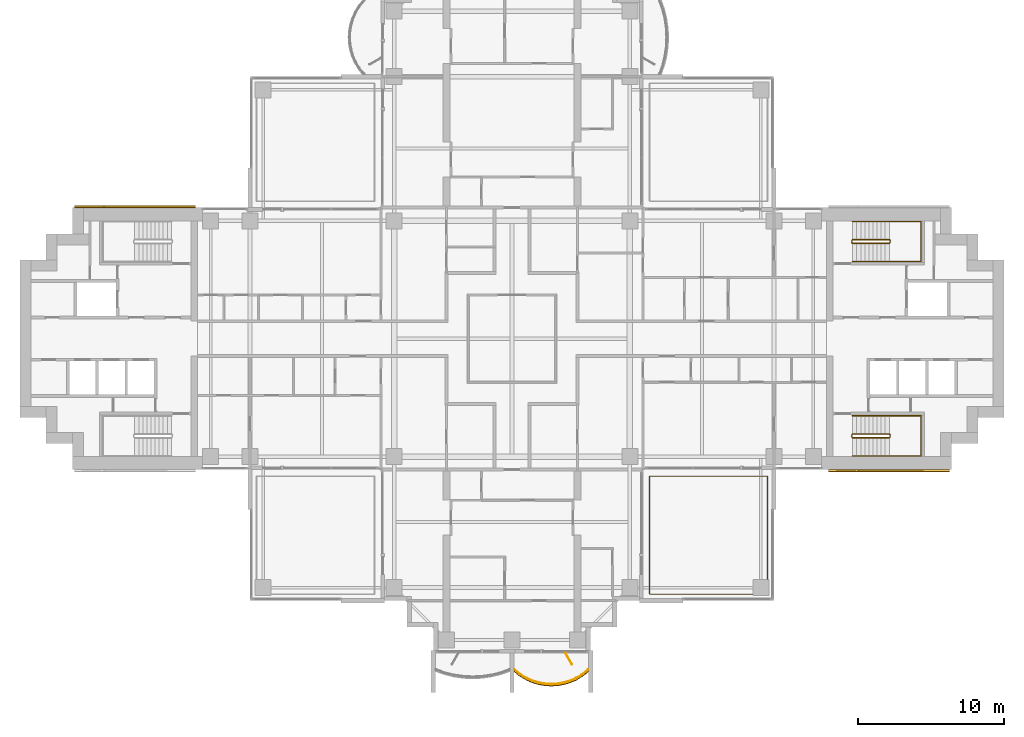
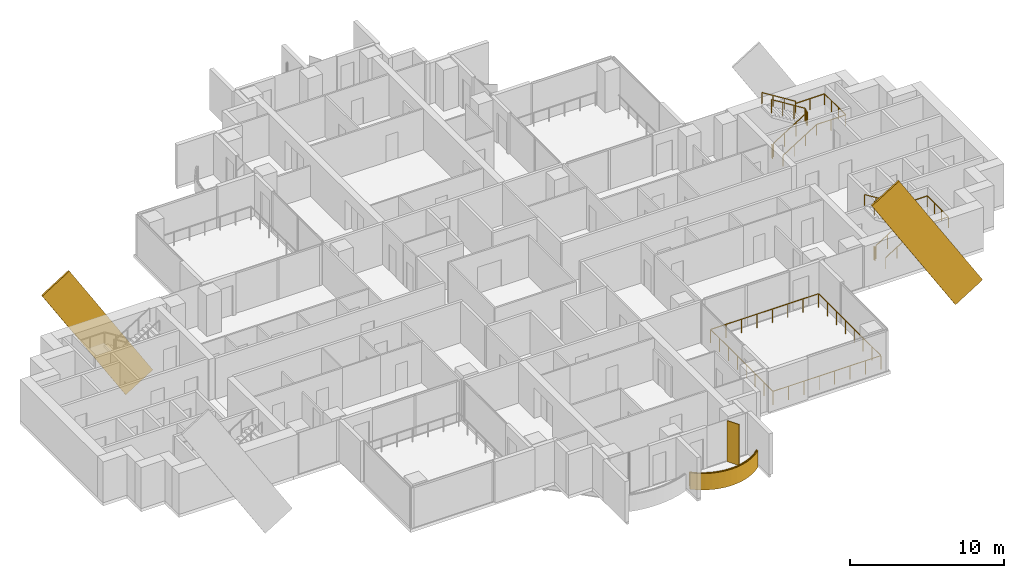
# One storey, part 17 of 19: 6 railings, 3 coverings, 1 shading device.
"""IFC4 building model written with IfcOpenShell, lengths in metres."""

from ifc_helpers import new_model, si_unit, direction, frame, origin, origin_2d, place, context, subcontext, project, spatial, polyline, rectangle, outline, extrude, material, layer, layer_set, material_profile, profile_set, type_object, element, save


model = new_model("IFC4")

# Units and contexts
model_context = context("Model", 3, precision=1e-05, world=origin(), true_north=direction((0.0, 1.0)))
body_context = subcontext(model_context, "Body", "Model", "MODEL_VIEW")
ifc_project = project(units=[si_unit("LENGTHUNIT", "METRE"), si_unit("AREAUNIT", "SQUARE_METRE"), si_unit("VOLUMEUNIT", "CUBIC_METRE"), si_unit("PLANEANGLEUNIT", "RADIAN"), si_unit("MASSUNIT", "GRAM", prefix="KILO")], contexts=[model_context])

# Site, building, storey
site_placement = place(None, origin())
site = spatial("IfcSite", under=ifc_project, at=site_placement, CompositionType="ELEMENT")
building_placement = place(site_placement, origin())
building = spatial("IfcBuilding", under=site, at=building_placement, Name="Perihelion Cross Residences", CompositionType="ELEMENT")
storey_placement = place(building_placement, frame((0.0, 0.0, 126.89990234375)))
storey = spatial("IfcBuildingStorey", under=building, at=storey_placement, Name="L30", CompositionType="ELEMENT", Elevation=126.89990234375)

# Covering
ifc_material_1 = material(Name="Bronze anodised aluminium", Category="aluminium")
ifc_layer_1 = layer(ifc_material_1, 0.070068359375)
ifc_layer_set_1 = layer_set([ifc_layer_1], Name="Balcony fascia 1300")
covering_type_1 = type_object("IfcCoveringType", Name="Balcony fascia 1300", PredefinedType="CLADDING", material=ifc_layer_set_1)
covering_placement = place(storey_placement, frame((0.0, 0.0, -0.199951171875)))
element("IfcCovering", 1, at=covering_placement, inside=storey, type_object=covering_type_1, Name="Fascia BF1 L30 south tip south bay 2", PredefinedType="CLADDING", context=body_context, shape_type="SweptSolid", body=[
    extrude(outline(polyline([(0.53515625, -23.197509765625), (0.96826171875, -23.455078125), (1.401123046875, -23.642578125), (1.833984375, -23.7705078125), (2.26708984375, -23.845458984375), (2.699951171875, -23.8701171875), (3.133056640625, -23.845458984375), (3.56591796875, -23.7705078125), (3.998779296875, -23.642578125), (4.431884765625, -23.455078125), (4.86474609375, -23.197509765625), (5.25, -22.8896484375), (5.25, -22.800048828125), (4.824951171875, -23.14013671875), (4.39990234375, -23.392578125), (3.97509765625, -23.57666015625), (3.550048828125, -23.702392578125), (3.125, -23.77587890625), (2.699951171875, -23.800048828125), (2.27490234375, -23.77587890625), (1.85009765625, -23.702392578125), (1.425048828125, -23.57666015625), (1.0, -23.392578125), (0.574951171875, -23.14013671875), (0.14990234375, -22.800048828125), (0.14990234375, -22.8896484375), (0.53515625, -23.197509765625)])), origin(), (0.0, 0.0, 1.0), 1.300048828125),
])

# Railings
ifc_material_2 = material(Name="Bronze anodised aluminium", Category="aluminium")
railing_type_1 = type_object("IfcRailingType", Name="Balcony guard 1100", PredefinedType="GUARDRAIL", material=ifc_material_2)
railing_1_placement = place(storey_placement, frame((0.175048828125, -22.739990234375, 0.0)))
element("IfcRailing", 2, at=railing_1_placement, inside=storey, type_object=railing_type_1, Name="Guard GU1 L30 south tip south bay 2 balcony", PredefinedType="GUARDRAIL", context=body_context, shape_type="SweptSolid", body=[
    extrude(rectangle(XDim=0.048095703125, YDim=0.048095703125, at=origin_2d()), frame((0.0, 0.0, 1.076171875), z_axis=(0.761778647315, -0.647837396648, 0.0), x_axis=(0.647837396648, 0.761778647315, 0.0)), (0.0, 0.0, 1.0), 0.52490234375),
    extrude(rectangle(XDim=0.048095703125, YDim=0.048095703125, at=origin_2d()), frame((0.39990234375, -0.340087890625, 1.076171875), z_axis=(0.859576918062, -0.511006381501, 0.0), x_axis=(0.511006381501, 0.859576918062, 0.0)), (0.0, 0.0, 1.0), 0.494384765625),
    extrude(rectangle(XDim=0.048095703125, YDim=0.048095703125, at=origin_2d()), frame((0.824951171875, -0.5927734375, 1.076171875), z_axis=(0.917831080218, -0.396971167952, 0.0), x_axis=(0.396971167952, 0.917831080218, 0.0)), (0.0, 0.0, 1.0), 0.463134765625),
    extrude(rectangle(XDim=0.048095703125, YDim=0.048095703125, at=origin_2d()), frame((1.25, -0.776611328125, 1.076171875), z_axis=(0.958925815697, -0.283656975924, 0.0), x_axis=(0.283656975924, 0.958925815697, 0.0)), (0.0, 0.0, 1.0), 0.443359375),
    extrude(rectangle(XDim=0.048095703125, YDim=0.048095703125, at=origin_2d()), frame((1.675048828125, -0.90234375, 1.076171875), z_axis=(0.985365142702, -0.170456843651, 0.0), x_axis=(0.170456843651, 0.985365142702, 0.0)), (0.0, 0.0, 1.0), 0.43115234375),
    extrude(rectangle(XDim=0.048095703125, YDim=0.048095703125, at=origin_2d()), frame((2.099853515625, -0.975830078125, 1.076171875), z_axis=(0.998387160354, -0.056772159032, 0.0), x_axis=(0.056772159032, 0.998387160354, 0.0)), (0.0, 0.0, 1.0), 0.42578125),
    extrude(rectangle(XDim=0.048095703125, YDim=0.048095703125, at=origin_2d()), frame((2.52490234375, -1.0, 1.076171875), z_axis=(0.998387160354, 0.056772159032, 0.0), x_axis=(-0.056772159032, 0.998387160354, 0.0)), (0.0, 0.0, 1.0), 0.42578125),
    extrude(rectangle(XDim=0.048095703125, YDim=0.048095703125, at=origin_2d()), frame((2.949951171875, -0.975830078125, 1.076171875), z_axis=(0.985381583142, 0.17036177859, 0.0), x_axis=(-0.17036177859, 0.985381583142, 0.0)), (0.0, 0.0, 1.0), 0.431396484375),
    extrude(rectangle(XDim=0.048095703125, YDim=0.048095703125, at=origin_2d()), frame((3.375, -0.90234375, 1.076171875), z_axis=(0.958925815697, 0.283656975924, 0.0), x_axis=(-0.283656975924, 0.958925815697, 0.0)), (0.0, 0.0, 1.0), 0.443359375),
    extrude(rectangle(XDim=0.048095703125, YDim=0.048095703125, at=origin_2d()), frame((3.800048828125, -0.776611328125, 1.076171875), z_axis=(0.917747942671, 0.397163333811, 0.0), x_axis=(-0.397163333811, 0.917747942671, 0.0)), (0.0, 0.0, 1.0), 0.462890625),
    extrude(rectangle(XDim=0.048095703125, YDim=0.048095703125, at=origin_2d()), frame((4.224853515625, -0.5927734375, 1.076171875), z_axis=(0.859576918062, 0.511006381501, 0.0), x_axis=(-0.511006381501, 0.859576918062, 0.0)), (0.0, 0.0, 1.0), 0.494384765625),
    extrude(rectangle(XDim=0.048095703125, YDim=0.048095703125, at=origin_2d()), frame((4.64990234375, -0.340087890625, 1.076171875), z_axis=(0.761973728849, 0.647607934281, 0.0), x_axis=(-0.647607934281, 0.761973728849, 0.0)), (0.0, 0.0, 1.0), 0.525146484375),
    extrude(rectangle(XDim=0.0419921875, YDim=0.0419921875, at=origin_2d()), origin(), (0.0, 0.0, 1.0), 1.052001953125),
    extrude(rectangle(XDim=0.0419921875, YDim=0.0419921875, at=origin_2d()), frame((0.39990234375, -0.340087890625, 0.0)), (0.0, 0.0, 1.0), 1.052001953125),
    extrude(rectangle(XDim=0.0419921875, YDim=0.0419921875, at=origin_2d()), frame((0.824951171875, -0.5927734375, 0.0)), (0.0, 0.0, 1.0), 1.052001953125),
    extrude(rectangle(XDim=0.0419921875, YDim=0.0419921875, at=origin_2d()), frame((1.25, -0.776611328125, 0.0)), (0.0, 0.0, 1.0), 1.052001953125),
    extrude(rectangle(XDim=0.0419921875, YDim=0.0419921875, at=origin_2d()), frame((1.675048828125, -0.90234375, 0.0)), (0.0, 0.0, 1.0), 1.052001953125),
    extrude(rectangle(XDim=0.0419921875, YDim=0.0419921875, at=origin_2d()), frame((2.099853515625, -0.975830078125, 0.0)), (0.0, 0.0, 1.0), 1.052001953125),
    extrude(rectangle(XDim=0.0419921875, YDim=0.0419921875, at=origin_2d()), frame((2.52490234375, -1.0, 0.0)), (0.0, 0.0, 1.0), 1.052001953125),
    extrude(rectangle(XDim=0.0419921875, YDim=0.0419921875, at=origin_2d()), frame((2.949951171875, -0.975830078125, 0.0)), (0.0, 0.0, 1.0), 1.052001953125),
    extrude(rectangle(XDim=0.0419921875, YDim=0.0419921875, at=origin_2d()), frame((3.375, -0.90234375, 0.0)), (0.0, 0.0, 1.0), 1.052001953125),
    extrude(rectangle(XDim=0.0419921875, YDim=0.0419921875, at=origin_2d()), frame((3.800048828125, -0.776611328125, 0.0)), (0.0, 0.0, 1.0), 1.052001953125),
    extrude(rectangle(XDim=0.0419921875, YDim=0.0419921875, at=origin_2d()), frame((4.224853515625, -0.5927734375, 0.0)), (0.0, 0.0, 1.0), 1.052001953125),
    extrude(rectangle(XDim=0.0419921875, YDim=0.0419921875, at=origin_2d()), frame((4.64990234375, -0.340087890625, 0.0)), (0.0, 0.0, 1.0), 1.052001953125),
    extrude(rectangle(XDim=0.0419921875, YDim=0.0419921875, at=origin_2d()), frame((5.050048828125, 0.0, 0.0)), (0.0, 0.0, 1.0), 1.052001953125),
])
railing_2_placement = place(storey_placement, frame((17.550048828125, -17.550048828125, 0.0)))
element("IfcRailing", 3, at=railing_2_placement, inside=storey, type_object=railing_type_1, Name="Guard GU1 L30 pocket south-east 1", PredefinedType="GUARDRAIL", context=body_context, shape_type="SweptSolid", body=[
    extrude(rectangle(XDim=0.048095703125, YDim=0.048095703125, at=origin_2d()), frame((0.0, 0.0, 1.076171875), z_axis=(-1.0, 0.0, 0.0), x_axis=(0.0, -1.0, 0.0)), (0.0, 0.0, 1.0), 8.10009765625),
    extrude(rectangle(XDim=0.048095703125, YDim=0.048095703125, at=origin_2d()), frame((-8.10009765625, 0.0, 1.076171875), z_axis=(0.0, 1.0, 0.0), x_axis=(-1.0, 0.0, 0.0)), (0.0, 0.0, 1.0), 8.10009765625),
    extrude(rectangle(XDim=0.048095703125, YDim=0.048095703125, at=origin_2d()), frame((-8.10009765625, 8.10009765625, 1.076171875), z_axis=(1.0, 0.0, 0.0), x_axis=(0.0, 1.0, 0.0)), (0.0, 0.0, 1.0), 8.10009765625),
    extrude(rectangle(XDim=0.048095703125, YDim=0.048095703125, at=origin_2d()), frame((0.0, 8.10009765625, 1.076171875), z_axis=(0.0, -1.0, 0.0), x_axis=(1.0, 0.0, 0.0)), (0.0, 0.0, 1.0), 8.10009765625),
    extrude(rectangle(XDim=0.0419921875, YDim=0.0419921875, at=origin_2d()), origin(), (0.0, 0.0, 1.0), 1.052001953125),
    extrude(rectangle(XDim=0.0419921875, YDim=0.0419921875, at=origin_2d()), frame((-1.1572265625, 0.0, 0.0)), (0.0, 0.0, 1.0), 1.052001953125),
    extrude(rectangle(XDim=0.0419921875, YDim=0.0419921875, at=origin_2d()), frame((-2.314208984375, 0.0, 0.0)), (0.0, 0.0, 1.0), 1.052001953125),
    extrude(rectangle(XDim=0.0419921875, YDim=0.0419921875, at=origin_2d()), frame((-3.471435546875, 0.0, 0.0)), (0.0, 0.0, 1.0), 1.052001953125),
    extrude(rectangle(XDim=0.0419921875, YDim=0.0419921875, at=origin_2d()), frame((-4.628662109375, 0.0, 0.0)), (0.0, 0.0, 1.0), 1.052001953125),
    extrude(rectangle(XDim=0.0419921875, YDim=0.0419921875, at=origin_2d()), frame((-5.785888671875, 0.0, 0.0)), (0.0, 0.0, 1.0), 1.052001953125),
    extrude(rectangle(XDim=0.0419921875, YDim=0.0419921875, at=origin_2d()), frame((-6.94287109375, 0.0, 0.0)), (0.0, 0.0, 1.0), 1.052001953125),
    extrude(rectangle(XDim=0.0419921875, YDim=0.0419921875, at=origin_2d()), frame((-8.10009765625, 0.0, 0.0)), (0.0, 0.0, 1.0), 1.052001953125),
    extrude(rectangle(XDim=0.0419921875, YDim=0.0419921875, at=origin_2d()), frame((-8.10009765625, 1.1572265625, 0.0)), (0.0, 0.0, 1.0), 1.052001953125),
    extrude(rectangle(XDim=0.0419921875, YDim=0.0419921875, at=origin_2d()), frame((-8.10009765625, 2.314208984375, 0.0)), (0.0, 0.0, 1.0), 1.052001953125),
    extrude(rectangle(XDim=0.0419921875, YDim=0.0419921875, at=origin_2d()), frame((-8.10009765625, 3.471435546875, 0.0)), (0.0, 0.0, 1.0), 1.052001953125),
    extrude(rectangle(XDim=0.0419921875, YDim=0.0419921875, at=origin_2d()), frame((-8.10009765625, 4.628662109375, 0.0)), (0.0, 0.0, 1.0), 1.052001953125),
    extrude(rectangle(XDim=0.0419921875, YDim=0.0419921875, at=origin_2d()), frame((-8.10009765625, 5.785888671875, 0.0)), (0.0, 0.0, 1.0), 1.052001953125),
    extrude(rectangle(XDim=0.0419921875, YDim=0.0419921875, at=origin_2d()), frame((-8.10009765625, 6.94287109375, 0.0)), (0.0, 0.0, 1.0), 1.052001953125),
    extrude(rectangle(XDim=0.0419921875, YDim=0.0419921875, at=origin_2d()), frame((-8.10009765625, 8.10009765625, 0.0)), (0.0, 0.0, 1.0), 1.052001953125),
    extrude(rectangle(XDim=0.0419921875, YDim=0.0419921875, at=origin_2d()), frame((-6.94287109375, 8.10009765625, 0.0)), (0.0, 0.0, 1.0), 1.052001953125),
    extrude(rectangle(XDim=0.0419921875, YDim=0.0419921875, at=origin_2d()), frame((-5.785888671875, 8.10009765625, 0.0)), (0.0, 0.0, 1.0), 1.052001953125),
    extrude(rectangle(XDim=0.0419921875, YDim=0.0419921875, at=origin_2d()), frame((-4.628662109375, 8.10009765625, 0.0)), (0.0, 0.0, 1.0), 1.052001953125),
    extrude(rectangle(XDim=0.0419921875, YDim=0.0419921875, at=origin_2d()), frame((-3.471435546875, 8.10009765625, 0.0)), (0.0, 0.0, 1.0), 1.052001953125),
    extrude(rectangle(XDim=0.0419921875, YDim=0.0419921875, at=origin_2d()), frame((-2.314208984375, 8.10009765625, 0.0)), (0.0, 0.0, 1.0), 1.052001953125),
    extrude(rectangle(XDim=0.0419921875, YDim=0.0419921875, at=origin_2d()), frame((-1.1572265625, 8.10009765625, 0.0)), (0.0, 0.0, 1.0), 1.052001953125),
    extrude(rectangle(XDim=0.0419921875, YDim=0.0419921875, at=origin_2d()), frame((0.0, 8.10009765625, 0.0)), (0.0, 0.0, 1.0), 1.052001953125),
    extrude(rectangle(XDim=0.0419921875, YDim=0.0419921875, at=origin_2d()), frame((0.0, 6.94287109375, 0.0)), (0.0, 0.0, 1.0), 1.052001953125),
    extrude(rectangle(XDim=0.0419921875, YDim=0.0419921875, at=origin_2d()), frame((0.0, 5.785888671875, 0.0)), (0.0, 0.0, 1.0), 1.052001953125),
    extrude(rectangle(XDim=0.0419921875, YDim=0.0419921875, at=origin_2d()), frame((0.0, 4.628662109375, 0.0)), (0.0, 0.0, 1.0), 1.052001953125),
    extrude(rectangle(XDim=0.0419921875, YDim=0.0419921875, at=origin_2d()), frame((0.0, 3.471435546875, 0.0)), (0.0, 0.0, 1.0), 1.052001953125),
    extrude(rectangle(XDim=0.0419921875, YDim=0.0419921875, at=origin_2d()), frame((0.0, 2.314208984375, 0.0)), (0.0, 0.0, 1.0), 1.052001953125),
    extrude(rectangle(XDim=0.0419921875, YDim=0.0419921875, at=origin_2d()), frame((0.0, 1.1572265625, 0.0)), (0.0, 0.0, 1.0), 1.052001953125),
])

# Coverings
ifc_material_3 = material(Name="Bronze anodised aluminium", Category="aluminium")
ifc_material_profile = material_profile(ifc_material_3, rectangle(XDim=0.125, YDim=2.39990234375, at=origin_2d()), Name="Bronze cladding band 2400")
ifc_profile_set = profile_set([ifc_material_profile], Name="Bronze anodised aluminium")
covering_type_2 = type_object("IfcCoveringType", Name="Bronze cladding band 2400", PredefinedType="CLADDING", material=ifc_profile_set)
for number, where, z_axis, x_axis, name in (
    (4, (29.0322265625, -9.0625, -3.030517578125), (-0.529915403603, 0.0, 0.848050508534), (0.0, -1.0, 0.0), "Core cladding band, east core"),
    (5, (-22.767578125, 9.0625, -3.030517578125), (-0.529915403603, 0.0, 0.848050508534), (0.0, -1.0, 0.0), "Core cladding band, west core"),
):
    element("IfcCovering", number, at=place(storey_placement, frame(where, z_axis=z_axis, x_axis=x_axis)), inside=storey, type_object=covering_type_2, Name=name, PredefinedType="CLADDING", context=body_context, shape_type="SweptSolid", body=[
        extrude(rectangle(XDim=0.125, YDim=2.39990234375, at=origin_2d()), origin(), (0.0, 0.0, 1.0), 11.822021484375),
    ])

# Shading device
ifc_material_4 = material(Name="Bronze anodised aluminium", Category="aluminium")
ifc_layer_2 = layer(ifc_material_4, 0.050048828125)
ifc_layer_set_2 = layer_set([ifc_layer_2], Name="Bronze fin 900")
shading_device_type = type_object("IfcShadingDeviceType", Name="Bronze fin 900", PredefinedType="USERDEFINED", material=ifc_layer_set_2)
shading_device_placement = place(storey_placement, frame((3.89990234375, -21.98974609375, 0.0), z_axis=(0.0, 0.0, 1.0), x_axis=(0.5, -0.866025403784, 0.0)))
element("IfcShadingDevice", 6, at=shading_device_placement, inside=storey, type_object=shading_device_type, Name="Fin FN1 L30 south tip south bay 2", ObjectType="FIN", PredefinedType="USERDEFINED", context=body_context, shape_type="SweptSolid", body=[
    extrude(rectangle(XDim=0.89990234375, YDim=0.050048828125, at=origin_2d()), origin(), (0.0, 0.0, 1.0), 3.25),
])

# Railings
ifc_material_5 = material(Name="Stainless steel", Category="steel")
railing_type_2 = type_object("IfcRailingType", Name="Stair guard 1100", PredefinedType="GUARDRAIL", material=ifc_material_5)
railing_3_placement = place(storey_placement, frame((23.35009765625, 6.75, 0.0)))
element("IfcRailing", 7, at=railing_3_placement, inside=storey, type_object=railing_type_2, Name="L30 ST-E1 stair guard 1", PredefinedType="GUARDRAIL", context=body_context, shape_type="SweptSolid", body=[
    extrude(rectangle(XDim=0.048095703125, YDim=0.048095703125, at=origin_2d()), frame((0.0, 0.0, 1.076171875), z_axis=(0.0, -1.0, 0.0), x_axis=(1.0, 0.0, 0.0)), (0.0, 0.0, 1.0), 0.14990234375),
    extrude(rectangle(XDim=0.048095703125, YDim=0.048095703125, at=origin_2d()), frame((0.0, -0.14990234375, 1.076171875), z_axis=(0.263862480399, -0.265155923931, 0.927399011991), x_axis=(0.708833529934, 0.705375805398, 0.0)), (0.0, 0.0, 1.0), 0.188720703125),
    extrude(rectangle(XDim=0.048095703125, YDim=0.048095703125, at=origin_2d()), frame((0.0498046875, -0.199951171875, 1.2509765625), z_axis=(0.848007534815, 0.0, 0.529984170421), x_axis=(0.0, 1.0, 0.0)), (0.0, 0.0, 1.0), 2.9716796875),
    extrude(rectangle(XDim=0.048095703125, YDim=0.048095703125, at=origin_2d()), frame((2.56982421875, -0.199951171875, 2.826171875), z_axis=(0.707106781187, 0.707106781187, 0.0), x_axis=(-0.707106781187, 0.707106781187, 0.0)), (0.0, 0.0, 1.0), 0.07080078125),
    extrude(rectangle(XDim=0.048095703125, YDim=0.048095703125, at=origin_2d()), frame((2.619873046875, -0.14990234375, 2.826171875), z_axis=(0.0, 1.0, 0.0), x_axis=(-1.0, 0.0, 0.0)), (0.0, 0.0, 1.0), 0.14990234375),
    extrude(rectangle(XDim=0.048095703125, YDim=0.048095703125, at=origin_2d()), frame((2.619873046875, 0.0, 2.826171875), z_axis=(-0.265065253269, 0.265065253269, 0.927081885822), x_axis=(-0.707106781187, -0.707106781187, 0.0)), (0.0, 0.0, 1.0), 0.188720703125),
    extrude(rectangle(XDim=0.048095703125, YDim=0.048095703125, at=origin_2d()), frame((2.56982421875, 0.050048828125, 3.0009765625), z_axis=(-0.848007534815, 0.0, 0.529984170421), x_axis=(0.0, -1.0, 0.0)), (0.0, 0.0, 1.0), 2.9716796875),
    extrude(rectangle(XDim=0.0419921875, YDim=0.0419921875, at=origin_2d()), origin(), (0.0, 0.0, 1.0), 1.052001953125),
    extrude(rectangle(XDim=0.0419921875, YDim=0.0419921875, at=origin_2d()), frame((0.0, -0.14990234375, 0.0)), (0.0, 0.0, 1.0), 1.052001953125),
    extrude(rectangle(XDim=0.0419921875, YDim=0.0419921875, at=origin_2d()), frame((0.0498046875, -0.199951171875, 0.175048828125)), (0.0, 0.0, 1.0), 1.052001953125),
    extrude(rectangle(XDim=0.0419921875, YDim=0.0419921875, at=origin_2d()), frame((0.889892578125, -0.199951171875, 0.699951171875)), (0.0, 0.0, 1.0), 1.052001953125),
    extrude(rectangle(XDim=0.0419921875, YDim=0.0419921875, at=origin_2d()), frame((1.729736328125, -0.199951171875, 1.22509765625)), (0.0, 0.0, 1.0), 1.052001953125),
    extrude(rectangle(XDim=0.0419921875, YDim=0.0419921875, at=origin_2d()), frame((2.56982421875, -0.199951171875, 1.75)), (0.0, 0.0, 1.0), 1.052001953125),
    extrude(rectangle(XDim=0.0419921875, YDim=0.0419921875, at=origin_2d()), frame((2.619873046875, -0.14990234375, 1.75)), (0.0, 0.0, 1.0), 1.052001953125),
    extrude(rectangle(XDim=0.0419921875, YDim=0.0419921875, at=origin_2d()), frame((2.619873046875, 0.0, 1.75)), (0.0, 0.0, 1.0), 1.052001953125),
    extrude(rectangle(XDim=0.0419921875, YDim=0.0419921875, at=origin_2d()), frame((2.56982421875, 0.050048828125, 1.925048828125)), (0.0, 0.0, 1.0), 1.052001953125),
    extrude(rectangle(XDim=0.0419921875, YDim=0.0419921875, at=origin_2d()), frame((1.729736328125, 0.050048828125, 2.449951171875)), (0.0, 0.0, 1.0), 1.052001953125),
    extrude(rectangle(XDim=0.0419921875, YDim=0.0419921875, at=origin_2d()), frame((0.889892578125, 0.050048828125, 2.97509765625)), (0.0, 0.0, 1.0), 1.052001953125),
    extrude(rectangle(XDim=0.0419921875, YDim=0.0419921875, at=origin_2d()), frame((0.0498046875, 0.050048828125, 3.5)), (0.0, 0.0, 1.0), 1.052001953125),
])
railing_4_placement = place(storey_placement, frame((23.35009765625, -6.60009765625, 0.0)))
element("IfcRailing", 8, at=railing_4_placement, inside=storey, type_object=railing_type_2, Name="L30 ST-E2 stair guard 1", PredefinedType="GUARDRAIL", context=body_context, shape_type="SweptSolid", body=[
    extrude(rectangle(XDim=0.048095703125, YDim=0.048095703125, at=origin_2d()), frame((0.0, 0.0, 1.076171875), z_axis=(0.0, -1.0, 0.0), x_axis=(1.0, 0.0, 0.0)), (0.0, 0.0, 1.0), 0.14990234375),
    extrude(rectangle(XDim=0.048095703125, YDim=0.048095703125, at=origin_2d()), frame((0.0, -0.14990234375, 1.076171875), z_axis=(0.263862480399, -0.265155923931, 0.927399011991), x_axis=(0.708833529934, 0.705375805398, 0.0)), (0.0, 0.0, 1.0), 0.188720703125),
    extrude(rectangle(XDim=0.048095703125, YDim=0.048095703125, at=origin_2d()), frame((0.0498046875, -0.199951171875, 1.2509765625), z_axis=(0.848007534815, 0.0, 0.529984170421), x_axis=(0.0, 1.0, 0.0)), (0.0, 0.0, 1.0), 2.9716796875),
    extrude(rectangle(XDim=0.048095703125, YDim=0.048095703125, at=origin_2d()), frame((2.56982421875, -0.199951171875, 2.826171875), z_axis=(0.707106781187, 0.707106781187, 0.0), x_axis=(-0.707106781187, 0.707106781187, 0.0)), (0.0, 0.0, 1.0), 0.07080078125),
    extrude(rectangle(XDim=0.048095703125, YDim=0.048095703125, at=origin_2d()), frame((2.619873046875, -0.14990234375, 2.826171875), z_axis=(0.0, 1.0, 0.0), x_axis=(-1.0, 0.0, 0.0)), (0.0, 0.0, 1.0), 0.14990234375),
    extrude(rectangle(XDim=0.048095703125, YDim=0.048095703125, at=origin_2d()), frame((2.619873046875, 0.0, 2.826171875), z_axis=(-0.265065253269, 0.265065253269, 0.927081885822), x_axis=(-0.707106781187, -0.707106781187, 0.0)), (0.0, 0.0, 1.0), 0.188720703125),
    extrude(rectangle(XDim=0.048095703125, YDim=0.048095703125, at=origin_2d()), frame((2.56982421875, 0.050048828125, 3.0009765625), z_axis=(-0.848007534815, 0.0, 0.529984170421), x_axis=(0.0, -1.0, 0.0)), (0.0, 0.0, 1.0), 2.9716796875),
    extrude(rectangle(XDim=0.0419921875, YDim=0.0419921875, at=origin_2d()), origin(), (0.0, 0.0, 1.0), 1.052001953125),
    extrude(rectangle(XDim=0.0419921875, YDim=0.0419921875, at=origin_2d()), frame((0.0, -0.14990234375, 0.0)), (0.0, 0.0, 1.0), 1.052001953125),
    extrude(rectangle(XDim=0.0419921875, YDim=0.0419921875, at=origin_2d()), frame((0.0498046875, -0.199951171875, 0.175048828125)), (0.0, 0.0, 1.0), 1.052001953125),
    extrude(rectangle(XDim=0.0419921875, YDim=0.0419921875, at=origin_2d()), frame((0.889892578125, -0.199951171875, 0.699951171875)), (0.0, 0.0, 1.0), 1.052001953125),
    extrude(rectangle(XDim=0.0419921875, YDim=0.0419921875, at=origin_2d()), frame((1.729736328125, -0.199951171875, 1.22509765625)), (0.0, 0.0, 1.0), 1.052001953125),
    extrude(rectangle(XDim=0.0419921875, YDim=0.0419921875, at=origin_2d()), frame((2.56982421875, -0.199951171875, 1.75)), (0.0, 0.0, 1.0), 1.052001953125),
    extrude(rectangle(XDim=0.0419921875, YDim=0.0419921875, at=origin_2d()), frame((2.619873046875, -0.14990234375, 1.75)), (0.0, 0.0, 1.0), 1.052001953125),
    extrude(rectangle(XDim=0.0419921875, YDim=0.0419921875, at=origin_2d()), frame((2.619873046875, 0.0, 1.75)), (0.0, 0.0, 1.0), 1.052001953125),
    extrude(rectangle(XDim=0.0419921875, YDim=0.0419921875, at=origin_2d()), frame((2.56982421875, 0.050048828125, 1.925048828125)), (0.0, 0.0, 1.0), 1.052001953125),
    extrude(rectangle(XDim=0.0419921875, YDim=0.0419921875, at=origin_2d()), frame((1.729736328125, 0.050048828125, 2.449951171875)), (0.0, 0.0, 1.0), 1.052001953125),
    extrude(rectangle(XDim=0.0419921875, YDim=0.0419921875, at=origin_2d()), frame((0.889892578125, 0.050048828125, 2.97509765625)), (0.0, 0.0, 1.0), 1.052001953125),
    extrude(rectangle(XDim=0.0419921875, YDim=0.0419921875, at=origin_2d()), frame((0.0498046875, 0.050048828125, 3.5)), (0.0, 0.0, 1.0), 1.052001953125),
])
ifc_material_6 = material(Name="Stainless steel", Category="steel")
railing_type_3 = type_object("IfcRailingType", Name="Stair handrail 900", PredefinedType="HANDRAIL", material=ifc_material_6)
railing_5_placement = place(storey_placement, frame((23.39990234375, 5.300048828125, 0.175048828125)))
element("IfcRailing", 9, at=railing_5_placement, inside=storey, type_object=railing_type_3, Name="L30 ST-E1 stair handrail 1", PredefinedType="HANDRAIL", context=body_context, shape_type="SweptSolid", body=[
    extrude(rectangle(XDim=0.048095703125, YDim=0.048095703125, at=origin_2d()), frame((0.0, 0.0, 0.8759765625), z_axis=(0.848007534815, 0.0, 0.529984170421), x_axis=(0.0, 1.0, 0.0)), (0.0, 0.0, 1.0), 2.9716796875),
    extrude(rectangle(XDim=0.048095703125, YDim=0.048095703125, at=origin_2d()), frame((2.52001953125, 0.0, 2.45068359375), z_axis=(1.0, 0.0, 0.0), x_axis=(0.0, 1.0, 0.0)), (0.0, 0.0, 1.0), 2.18017578125),
    extrude(rectangle(XDim=0.048095703125, YDim=0.048095703125, at=origin_2d()), frame((4.7001953125, 0.0, 2.45068359375), z_axis=(0.0, 1.0, 0.0), x_axis=(-1.0, 0.0, 0.0)), (0.0, 0.0, 1.0), 2.75),
    extrude(rectangle(XDim=0.048095703125, YDim=0.048095703125, at=origin_2d()), frame((4.7001953125, 2.75, 2.45068359375), z_axis=(-1.0, 0.0, 0.0), x_axis=(0.0, -1.0, 0.0)), (0.0, 0.0, 1.0), 2.18017578125),
    extrude(rectangle(XDim=0.048095703125, YDim=0.048095703125, at=origin_2d()), frame((2.52001953125, 2.75, 2.45068359375), z_axis=(0.0, 0.0, 1.0), x_axis=(1.0, 0.0, 0.0)), (0.0, 0.0, 1.0), 0.175048828125),
    extrude(rectangle(XDim=0.048095703125, YDim=0.048095703125, at=origin_2d()), frame((2.52001953125, 2.75, 2.6259765625), z_axis=(-0.848007534815, 0.0, 0.529984170421), x_axis=(0.0, -1.0, 0.0)), (0.0, 0.0, 1.0), 2.9716796875),
    extrude(rectangle(XDim=0.0419921875, YDim=0.0419921875, at=origin_2d()), origin(), (0.0, 0.0, 1.0), 0.851806640625),
    extrude(rectangle(XDim=0.0419921875, YDim=0.0419921875, at=origin_2d()), frame((0.840087890625, 0.0, 0.52490234375)), (0.0, 0.0, 1.0), 0.851806640625),
    extrude(rectangle(XDim=0.0419921875, YDim=0.0419921875, at=origin_2d()), frame((1.679931640625, 0.0, 1.050048828125)), (0.0, 0.0, 1.0), 0.851806640625),
    extrude(rectangle(XDim=0.0419921875, YDim=0.0419921875, at=origin_2d()), frame((2.52001953125, 0.0, 1.574951171875)), (0.0, 0.0, 1.0), 0.851806640625),
    extrude(rectangle(XDim=0.0419921875, YDim=0.0419921875, at=origin_2d()), frame((3.610107421875, 0.0, 1.574951171875)), (0.0, 0.0, 1.0), 0.851806640625),
    extrude(rectangle(XDim=0.0419921875, YDim=0.0419921875, at=origin_2d()), frame((4.7001953125, 0.0, 1.574951171875)), (0.0, 0.0, 1.0), 0.851806640625),
    extrude(rectangle(XDim=0.0419921875, YDim=0.0419921875, at=origin_2d()), frame((4.7001953125, 0.916748046875, 1.574951171875)), (0.0, 0.0, 1.0), 0.851806640625),
    extrude(rectangle(XDim=0.0419921875, YDim=0.0419921875, at=origin_2d()), frame((4.7001953125, 1.833251953125, 1.574951171875)), (0.0, 0.0, 1.0), 0.851806640625),
    extrude(rectangle(XDim=0.0419921875, YDim=0.0419921875, at=origin_2d()), frame((4.7001953125, 2.75, 1.574951171875)), (0.0, 0.0, 1.0), 0.851806640625),
    extrude(rectangle(XDim=0.0419921875, YDim=0.0419921875, at=origin_2d()), frame((3.610107421875, 2.75, 1.574951171875)), (0.0, 0.0, 1.0), 0.851806640625),
    extrude(rectangle(XDim=0.0419921875, YDim=0.0419921875, at=origin_2d()), frame((2.52001953125, 2.75, 1.574951171875)), (0.0, 0.0, 1.0), 0.851806640625),
    extrude(rectangle(XDim=0.0419921875, YDim=0.0419921875, at=origin_2d()), frame((2.52001953125, 2.75, 1.75)), (0.0, 0.0, 1.0), 0.851806640625),
    extrude(rectangle(XDim=0.0419921875, YDim=0.0419921875, at=origin_2d()), frame((1.679931640625, 2.75, 2.27490234375)), (0.0, 0.0, 1.0), 0.851806640625),
    extrude(rectangle(XDim=0.0419921875, YDim=0.0419921875, at=origin_2d()), frame((0.840087890625, 2.75, 2.800048828125)), (0.0, 0.0, 1.0), 0.851806640625),
    extrude(rectangle(XDim=0.0419921875, YDim=0.0419921875, at=origin_2d()), frame((0.0, 2.75, 3.324951171875)), (0.0, 0.0, 1.0), 0.851806640625),
])
railing_6_placement = place(storey_placement, frame((23.39990234375, -8.050048828125, 0.175048828125)))
element("IfcRailing", 10, at=railing_6_placement, inside=storey, type_object=railing_type_3, Name="L30 ST-E2 stair handrail 1", PredefinedType="HANDRAIL", context=body_context, shape_type="SweptSolid", body=[
    extrude(rectangle(XDim=0.048095703125, YDim=0.048095703125, at=origin_2d()), frame((0.0, 0.0, 0.8759765625), z_axis=(0.848007534815, 0.0, 0.529984170421), x_axis=(0.0, 1.0, 0.0)), (0.0, 0.0, 1.0), 2.9716796875),
    extrude(rectangle(XDim=0.048095703125, YDim=0.048095703125, at=origin_2d()), frame((2.52001953125, 0.0, 2.45068359375), z_axis=(1.0, 0.0, 0.0), x_axis=(0.0, 1.0, 0.0)), (0.0, 0.0, 1.0), 2.18017578125),
    extrude(rectangle(XDim=0.048095703125, YDim=0.048095703125, at=origin_2d()), frame((4.7001953125, 0.0, 2.45068359375), z_axis=(0.0, 1.0, 0.0), x_axis=(-1.0, 0.0, 0.0)), (0.0, 0.0, 1.0), 2.75),
    extrude(rectangle(XDim=0.048095703125, YDim=0.048095703125, at=origin_2d()), frame((4.7001953125, 2.75, 2.45068359375), z_axis=(-1.0, 0.0, 0.0), x_axis=(0.0, -1.0, 0.0)), (0.0, 0.0, 1.0), 2.18017578125),
    extrude(rectangle(XDim=0.048095703125, YDim=0.048095703125, at=origin_2d()), frame((2.52001953125, 2.75, 2.45068359375), z_axis=(0.0, 0.0, 1.0), x_axis=(1.0, 0.0, 0.0)), (0.0, 0.0, 1.0), 0.175048828125),
    extrude(rectangle(XDim=0.048095703125, YDim=0.048095703125, at=origin_2d()), frame((2.52001953125, 2.75, 2.6259765625), z_axis=(-0.848007534815, 0.0, 0.529984170421), x_axis=(0.0, -1.0, 0.0)), (0.0, 0.0, 1.0), 2.9716796875),
    extrude(rectangle(XDim=0.0419921875, YDim=0.0419921875, at=origin_2d()), origin(), (0.0, 0.0, 1.0), 0.851806640625),
    extrude(rectangle(XDim=0.0419921875, YDim=0.0419921875, at=origin_2d()), frame((0.840087890625, 0.0, 0.52490234375)), (0.0, 0.0, 1.0), 0.851806640625),
    extrude(rectangle(XDim=0.0419921875, YDim=0.0419921875, at=origin_2d()), frame((1.679931640625, 0.0, 1.050048828125)), (0.0, 0.0, 1.0), 0.851806640625),
    extrude(rectangle(XDim=0.0419921875, YDim=0.0419921875, at=origin_2d()), frame((2.52001953125, 0.0, 1.574951171875)), (0.0, 0.0, 1.0), 0.851806640625),
    extrude(rectangle(XDim=0.0419921875, YDim=0.0419921875, at=origin_2d()), frame((3.610107421875, 0.0, 1.574951171875)), (0.0, 0.0, 1.0), 0.851806640625),
    extrude(rectangle(XDim=0.0419921875, YDim=0.0419921875, at=origin_2d()), frame((4.7001953125, 0.0, 1.574951171875)), (0.0, 0.0, 1.0), 0.851806640625),
    extrude(rectangle(XDim=0.0419921875, YDim=0.0419921875, at=origin_2d()), frame((4.7001953125, 0.916748046875, 1.574951171875)), (0.0, 0.0, 1.0), 0.851806640625),
    extrude(rectangle(XDim=0.0419921875, YDim=0.0419921875, at=origin_2d()), frame((4.7001953125, 1.833251953125, 1.574951171875)), (0.0, 0.0, 1.0), 0.851806640625),
    extrude(rectangle(XDim=0.0419921875, YDim=0.0419921875, at=origin_2d()), frame((4.7001953125, 2.75, 1.574951171875)), (0.0, 0.0, 1.0), 0.851806640625),
    extrude(rectangle(XDim=0.0419921875, YDim=0.0419921875, at=origin_2d()), frame((3.610107421875, 2.75, 1.574951171875)), (0.0, 0.0, 1.0), 0.851806640625),
    extrude(rectangle(XDim=0.0419921875, YDim=0.0419921875, at=origin_2d()), frame((2.52001953125, 2.75, 1.574951171875)), (0.0, 0.0, 1.0), 0.851806640625),
    extrude(rectangle(XDim=0.0419921875, YDim=0.0419921875, at=origin_2d()), frame((2.52001953125, 2.75, 1.75)), (0.0, 0.0, 1.0), 0.851806640625),
    extrude(rectangle(XDim=0.0419921875, YDim=0.0419921875, at=origin_2d()), frame((1.679931640625, 2.75, 2.27490234375)), (0.0, 0.0, 1.0), 0.851806640625),
    extrude(rectangle(XDim=0.0419921875, YDim=0.0419921875, at=origin_2d()), frame((0.840087890625, 2.75, 2.800048828125)), (0.0, 0.0, 1.0), 0.851806640625),
    extrude(rectangle(XDim=0.0419921875, YDim=0.0419921875, at=origin_2d()), frame((0.0, 2.75, 3.324951171875)), (0.0, 0.0, 1.0), 0.851806640625),
])

save(model, "model.ifc")
